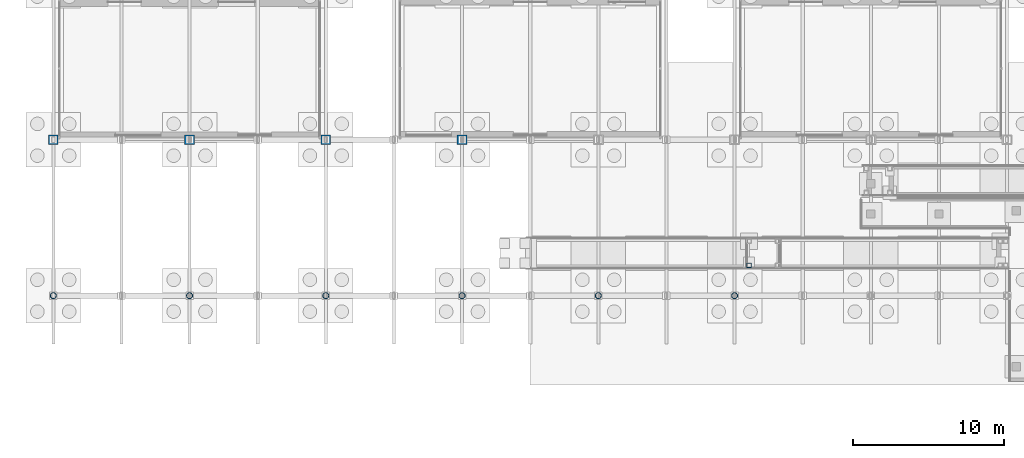
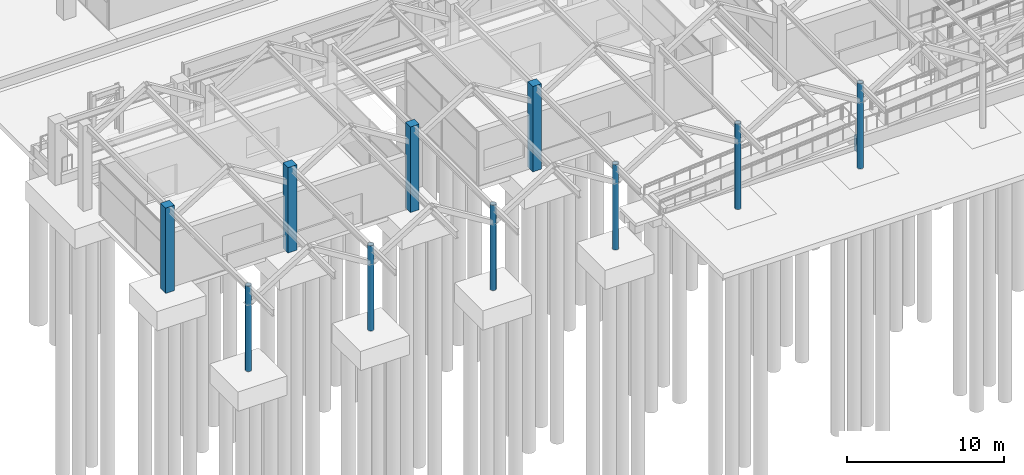
# One storey, part 10 of 160: 11 columns.
"""IFC4 building model written with IfcOpenShell, lengths in metres."""

from ifc_helpers import new_model, si_unit, direction, frame, origin, origin_2d, place, context, subcontext, project, spatial, rectangle, hollow_rectangle, hollow_circle, extrude, material, material_profile, profile_set, type_object, element, save


model = new_model("IFC4")

# Units and contexts
model_context = context("Model", 3, precision=1e-05, world=origin(), true_north=direction((0.0, 1.0)))
body_context = subcontext(model_context, "Body", "Model", "MODEL_VIEW")
ifc_project = project(units=[si_unit("LENGTHUNIT", "METRE"), si_unit("AREAUNIT", "SQUARE_METRE"), si_unit("VOLUMEUNIT", "CUBIC_METRE"), si_unit("PLANEANGLEUNIT", "RADIAN"), si_unit("MASSUNIT", "GRAM", prefix="KILO")], contexts=[model_context])

# Site, building, storey
site_placement = place(None, origin())
site = spatial("IfcSite", under=ifc_project, at=site_placement, CompositionType="ELEMENT")
building_placement = place(site_placement, origin())
building = spatial("IfcBuilding", under=site, at=building_placement, Name="Marlcrest Central Station", CompositionType="ELEMENT")
storey_placement = place(building_placement, origin())
storey = spatial("IfcBuildingStorey", under=building, at=storey_placement, Name="L00", CompositionType="ELEMENT", Elevation=0.0)

# Columns
ifc_material_1 = material(Name="Concrete C50/60", Category="concrete")
ifc_material_profile_1 = material_profile(ifc_material_1, rectangle(XDim=0.64990234375, YDim=0.64990234375, at=origin_2d()), Name="RC 650x650")
ifc_profile_set_1 = profile_set([ifc_material_profile_1], Name="Concrete C50/60")
column_type_1 = type_object("IfcColumnType", Name="RC-05", PredefinedType="COLUMN", material=ifc_profile_set_1)
for number, where, z_axis, x_axis, name in (
    (1, (0.0, 22.5, 0.0), (0.0, 0.0, 1.0), (1.0, 0.0, 0.0), "col-RC-05-L00-0362"),
    (2, (9.0, 22.5, 0.0), (0.0, 0.0, 1.0), (1.0, 0.0, 0.0), "col-RC-05-L00-0365"),
    (3, (18.0, 22.5, 0.0), (0.0, 0.0, 1.0), (1.0, 0.0, 0.0), "col-RC-05-L00-0368"),
    (4, (27.0, 22.5, 0.0), (0.0, 0.0, 1.0), (1.0, 0.0, 0.0), "col-RC-05-L00-0371"),
):
    element("IfcColumn", number, at=place(storey_placement, frame(where, z_axis=z_axis, x_axis=x_axis)), inside=storey, type_object=column_type_1, Name=name, PredefinedType="COLUMN", context=body_context, shape_type="SweptSolid", body=[
        extrude(rectangle(XDim=0.64990234375, YDim=0.64990234375, at=origin_2d()), origin(), (0.0, 0.0, 1.0), 6.639892578125),
    ])
ifc_material_2 = material(Name="Steel S355", Category="steel")
ifc_material_profile_2 = material_profile(ifc_material_2, hollow_circle(Radius=0.203125, WallThickness=0.02001953125, at=origin_2d()), Name="CHS 406.4x20")
ifc_profile_set_2 = profile_set([ifc_material_profile_2], Name="Steel S355")
column_type_2 = type_object("IfcColumnType", Name="SC-10", PredefinedType="COLUMN", material=ifc_profile_set_2)
for number, where, z_axis, x_axis, name in (
    (5, (0.0, 12.199951171875, 0.0), (0.0, 0.0, 1.0), (1.0, 0.0, 0.0), "col-SC-10-L00-0364"),
    (6, (9.0, 12.199951171875, 0.0), (0.0, 0.0, 1.0), (1.0, 0.0, 0.0), "col-SC-10-L00-0367"),
    (7, (18.0, 12.199951171875, 0.0), (0.0, 0.0, 1.0), (1.0, 0.0, 0.0), "col-SC-10-L00-0370"),
    (8, (27.0, 12.199951171875, 0.0), (0.0, 0.0, 1.0), (1.0, 0.0, 0.0), "col-SC-10-L00-0373"),
    (9, (36.0, 12.199951171875, 0.0), (0.0, 0.0, 1.0), (1.0, 0.0, 0.0), "col-SC-10-L00-0376"),
    (10, (45.0, 12.199951171875, 0.0), (0.0, 0.0, 1.0), (1.0, 0.0, 0.0), "col-SC-10-L00-0379"),
):
    element("IfcColumn", number, at=place(storey_placement, frame(where, z_axis=z_axis, x_axis=x_axis)), inside=storey, type_object=column_type_2, Name=name, PredefinedType="COLUMN", context=body_context, shape_type="SweptSolid", body=[
        extrude(hollow_circle(Radius=0.203125, WallThickness=0.02001953125, at=origin_2d()), origin(), (0.0, 0.0, 1.0), 6.639892578125),
    ])
ifc_material_profile_3 = material_profile(ifc_material_2, hollow_rectangle(XDim=0.300048828125, YDim=0.300048828125, WallThickness=0.01611328125, at=origin_2d()), Name="SHS 300x300x16")
ifc_profile_set_3 = profile_set([ifc_material_profile_3], Name="Steel S355")
column_type_3 = type_object("IfcColumnType", Name="SC-19", PredefinedType="COLUMN", material=ifc_profile_set_3)
column_placement = place(storey_placement, frame((45.949951171875, 14.199951171875, -0.25), z_axis=(0.0, 0.0, 1.0), x_axis=(1.0, 0.0, 0.0)))
element("IfcColumn", 11, at=column_placement, inside=storey, type_object=column_type_3, Name="ramp-01-ldcol-2-459-142", PredefinedType="COLUMN", context=body_context, shape_type="SweptSolid", body=[
    extrude(hollow_rectangle(XDim=0.300048828125, YDim=0.300048828125, WallThickness=0.01611328125, at=origin_2d()), origin(), (0.0, 0.0, 1.0), 1.199951171875),
])

save(model, "model.ifc")
